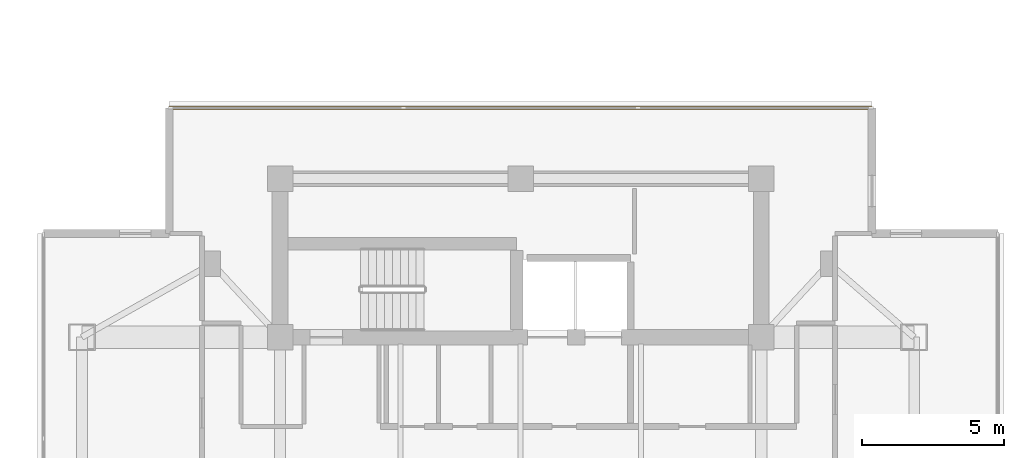
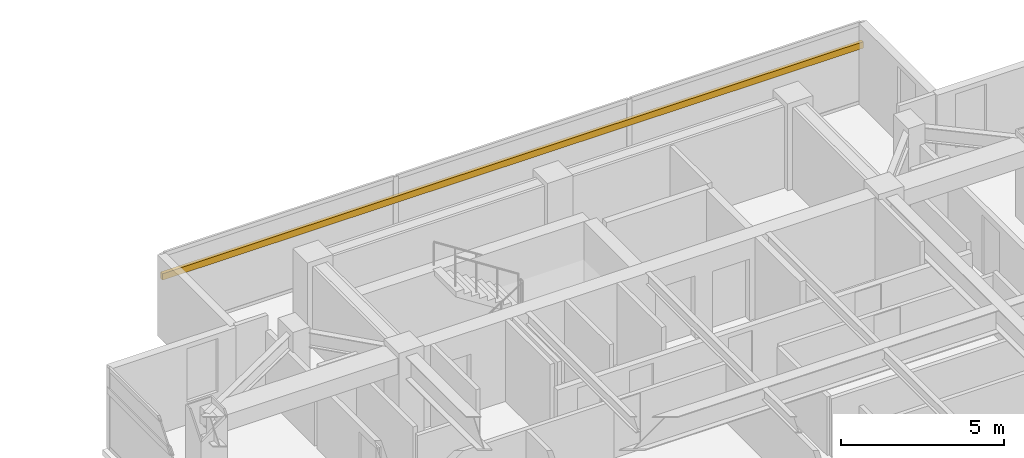
# One storey, part 24 of 24: 1 shading device.
"""IFC4 building model written with IfcOpenShell, lengths in metres."""

import ifcopenshell
import ifcopenshell.guid

model = None  # the IFC model being written
_history = None  # IfcOwnerHistory: only IFC2X3 demands one
_inside = {}  # id of a spatial element -> (the spatial element, [elements in it])
_under = {}  # id of a project, library or spatial element -> (it, [spatial elements below it])
_declared = {}  # id of a project -> (the project, [libraries it declares])
_typed = {}  # id of a type object -> (the type object, [elements of that type])
_made_of = {}  # id of a material, layer set ... -> (it, [elements and type objects made of it])


def new_model(schema):
    """Start an empty IFC model of exactly this schema.

    Asked for "IFC4X3", IfcOpenShell would pick the latest addendum, in which some entities
    have other attributes; the version numbers below select the first issue.
    IFC2X3 requires an IfcOwnerHistory on every rooted entity: one is made here for all.
    """
    global model, _history
    if schema == "IFC4X3":
        model = ifcopenshell.file(schema_version=(4, 3, 0, 0))
    else:
        model = ifcopenshell.file(schema=schema)
    _inside.clear()
    _under.clear()
    _declared.clear()
    _typed.clear()
    _made_of.clear()
    _history = None
    if model.schema == "IFC2X3":
        org = make("IfcOrganization", Name="unknown")
        user = make(
            "IfcPersonAndOrganization",
            ThePerson=make("IfcPerson", FamilyName="unknown"),
            TheOrganization=org,
        )
        app = make(
            "IfcApplication",
            ApplicationDeveloper=org,
            Version="unknown",
            ApplicationFullName="unknown",
            ApplicationIdentifier="unknown",
        )
        _history = make(
            "IfcOwnerHistory",
            OwningUser=user,
            OwningApplication=app,
            ChangeAction="ADDED",
            CreationDate=0,
        )
    return model


def make(cls, **values):
    """One entity of the class cls with the attributes given. An attribute that is None is left unset."""
    return model.create_entity(
        cls, **{name: value for name, value in values.items() if value is not None}
    )


def rooted(cls, **values):
    """An entity with a GlobalId (a new one), such as an element, a storey or a relation."""
    return make(cls, GlobalId=ifcopenshell.guid.new(), OwnerHistory=_history, **values)


def si_unit(unit_type, name, prefix=None):
    """IfcSIUnit, for example si_unit("LENGTHUNIT", "METRE", prefix="MILLI")."""
    return make("IfcSIUnit", UnitType=unit_type, Prefix=prefix, Name=name)


def assignment(units):
    """IfcUnitAssignment: the units of a project."""
    return None if units is None else make("IfcUnitAssignment", Units=units)


def point(xyz):
    """IfcCartesianPoint."""
    return None if xyz is None else make("IfcCartesianPoint", Coordinates=xyz)


def direction(xyz):
    """IfcDirection."""
    return None if xyz is None else make("IfcDirection", DirectionRatios=xyz)


def frame(location, z_axis=None, x_axis=None):
    """IfcAxis2Placement3D, a coordinate frame: its origin and axes. An axis left out is left unset."""
    return make(
        "IfcAxis2Placement3D",
        Location=point(location),
        Axis=direction(z_axis),
        RefDirection=direction(x_axis),
    )


def frame_2d(location, x_axis=None):
    """IfcAxis2Placement2D, a coordinate frame in the plane: its origin and x axis."""
    return make(
        "IfcAxis2Placement2D", Location=point(location), RefDirection=direction(x_axis)
    )


def origin():
    """The frame at (0, 0, 0) with its axes left unset."""
    return frame((0.0, 0.0, 0.0))


def origin_2d():
    """The frame at (0, 0) in the plane with its x axis left unset."""
    return frame_2d((0.0, 0.0))


def place(relative_to, where):
    """IfcLocalPlacement: puts the frame where relative to a parent placement (None: the world)."""
    return make(
        "IfcLocalPlacement", PlacementRelTo=relative_to, RelativePlacement=where
    )


def context(
    kind, dimensions, precision=None, world=None, true_north=None, identifier=None
):
    """IfcGeometricRepresentationContext, for example the 3D "Model" context."""
    return make(
        "IfcGeometricRepresentationContext",
        ContextIdentifier=identifier,
        ContextType=kind,
        CoordinateSpaceDimension=dimensions,
        Precision=precision,
        WorldCoordinateSystem=world,
        TrueNorth=true_north,
    )


def subcontext(parent, identifier, kind, view, scale=None):
    """IfcGeometricRepresentationSubContext, for example "Body" below "Model"."""
    return make(
        "IfcGeometricRepresentationSubContext",
        ContextIdentifier=identifier,
        ContextType=kind,
        ParentContext=parent,
        TargetScale=scale,
        TargetView=view,
    )


def project(units=None, contexts=None):
    """IfcProject with its units and contexts."""
    return rooted(
        "IfcProject",
        Name="project",
        RepresentationContexts=contexts,
        UnitsInContext=assignment(units),
    )


def spatial(cls, under=None, at=None, **own):
    """A site, building, storey or space (cls), placed at a placement, below another one or the project."""
    s = rooted(cls, ObjectPlacement=at, **own)
    if under is not None:
        _under.setdefault(under.id(), (under, []))[1].append(s)
    return s


def profile(cls, at=None, kind="AREA", **sizes):
    """A parametric profile (cls). Its sizes go by their IFC names, for example OverallWidth=200.0."""
    return make(cls, ProfileType=kind, Position=at, **sizes)


def rectangle(**sizes):
    """IfcRectangleProfileDef."""
    return profile("IfcRectangleProfileDef", **sizes)


def extrude(swept, where, along, depth):
    """IfcExtrudedAreaSolid: the profile swept, set in the frame where, extruded along a direction by depth."""
    return make(
        "IfcExtrudedAreaSolid",
        SweptArea=swept,
        Position=where,
        ExtrudedDirection=direction(along),
        Depth=depth,
    )


def shape(context_of_items, identifier, shape_type, items):
    """IfcShapeRepresentation: the items that make up one representation, for example the "Body"."""
    return make(
        "IfcShapeRepresentation",
        ContextOfItems=context_of_items,
        RepresentationIdentifier=identifier,
        RepresentationType=shape_type,
        Items=items,
    )


def material(Name=None, Category=None):
    """IfcMaterial."""
    return make("IfcMaterial", Name=Name, Category=Category)


def material_profile(
    of_material, cross_section, Name=None, Category=None, Priority=None
):
    """IfcMaterialProfile: a cross section and its material."""
    return make(
        "IfcMaterialProfile",
        Name=Name,
        Material=of_material,
        Profile=cross_section,
        Priority=Priority,
        Category=Category,
    )


def profile_set(profiles, Name=None, composite=None):
    """IfcMaterialProfileSet."""
    return make(
        "IfcMaterialProfileSet",
        Name=Name,
        MaterialProfiles=profiles,
        CompositeProfile=composite,
    )


def made_of(thing, what):
    """Note that an element or type object is made of a material, layer set ...; save() writes the relation."""
    if what is not None:
        _made_of.setdefault(what.id(), (what, []))[1].append(thing)
    return thing


def type_object(cls, material=None, **own):
    """A type object (cls), such as IfcWallType, which elements share."""
    return made_of(rooted(cls, **own), material)


def element(
    cls,
    number,
    at=None,
    inside=None,
    cuts=None,
    type_object=None,
    material=None,
    context=None,
    identifier="Body",
    shape_type=None,
    held_by="IfcProductDefinitionShape",
    body=None,
    shapes=None,
    **own,
):
    """One element of the class cls, such as IfcWall. Its Tag is "e" and its number.

    at: its placement. inside: the storey or other place that contains it. cuts: it is an
    opening in that element (IfcRelVoidsElement). A single representation is given by context,
    identifier, shape_type and body (its items); several are given by shapes. held_by: the class
    of the entity that holds the representations. save() writes the other relations.
    """
    e = rooted(cls, Tag="e%d" % number, ObjectPlacement=at, **own)
    if body is not None:
        shapes = [shape(context, identifier, shape_type, body)]
    if shapes is not None:
        e.Representation = make(held_by, Representations=shapes)
    if inside is not None:
        _inside.setdefault(inside.id(), (inside, []))[1].append(e)
    if cuts is not None:
        rooted(
            "IfcRelVoidsElement", RelatingBuildingElement=cuts, RelatedOpeningElement=e
        )
    if type_object is not None:
        _typed.setdefault(type_object.id(), (type_object, []))[1].append(e)
    return made_of(e, material)


def aggregate(whole, parts):
    """IfcRelAggregates: a whole, such as a stair, and the parts it consists of."""
    return rooted("IfcRelAggregates", RelatingObject=whole, RelatedObjects=parts)


def save(model, path):
    """Write the relations noted so far, then the file.

    IfcRelAggregates (storeys below a building ...), IfcRelContainedInSpatialStructure (elements
    in a storey), IfcRelDefinesByType, IfcRelAssociatesMaterial and IfcRelDeclares: one each for
    every whole, place, type object, material and project.
    """
    for whole, parts in _under.values():
        aggregate(whole, parts)
    for where, things in _inside.values():
        rooted(
            "IfcRelContainedInSpatialStructure",
            RelatedElements=things,
            RelatingStructure=where,
        )
    for kind, things in _typed.values():
        rooted("IfcRelDefinesByType", RelatedObjects=things, RelatingType=kind)
    for what, things in _made_of.values():
        rooted("IfcRelAssociatesMaterial", RelatedObjects=things, RelatingMaterial=what)
    for by, libraries in _declared.values():
        rooted("IfcRelDeclares", RelatingContext=by, RelatedDefinitions=libraries)
    model.write(path)


model = new_model("IFC4")

# Units and contexts
model_context = context("Model", 3, precision=1e-05, world=origin(), true_north=direction((0.0, 1.0)))
body_context = subcontext(model_context, "Body", "Model", "MODEL_VIEW")
ifc_project = project(units=[si_unit("LENGTHUNIT", "METRE"), si_unit("AREAUNIT", "SQUARE_METRE"), si_unit("VOLUMEUNIT", "CUBIC_METRE"), si_unit("PLANEANGLEUNIT", "RADIAN"), si_unit("MASSUNIT", "GRAM", prefix="KILO")], contexts=[model_context])

# Site, building, storey
site_placement = place(None, origin())
site = spatial("IfcSite", under=ifc_project, at=site_placement, CompositionType="ELEMENT")
building_placement = place(site_placement, origin())
building = spatial("IfcBuilding", under=site, at=building_placement, Name="Mirazonda Arch Towers", CompositionType="ELEMENT")
storey_placement = place(building_placement, frame((0.0, 0.0, 190.14990234375)))
storey = spatial("IfcBuildingStorey", under=building, at=storey_placement, Name="L54", CompositionType="ELEMENT", Elevation=190.14990234375)

# Shading device
ifc_material = material(Name="Kiln-Fired Architectural Terracotta", Category="masonry")
ifc_material_profile = material_profile(ifc_material, rectangle(XDim=0.1201171875, YDim=0.239990234375, at=origin_2d()), Name="TERRA-BAG-120x240")
ifc_profile_set = profile_set([ifc_material_profile], Name="Kiln-Fired Architectural Terracotta")
shading_device_type = type_object("IfcShadingDeviceType", Name="BAGUETTE-1", PredefinedType="USERDEFINED", material=ifc_profile_set)
shading_device_placement = place(storey_placement, frame((64.086181640625, 43.30517578125, 2.181640625), z_axis=(1.0, 0.0, 0.0), x_axis=(0.0, 1.0, 0.0)))
element("IfcShadingDevice", 1, at=shading_device_placement, inside=storey, type_object=shading_device_type, Name="L54 Glazed Terracotta Sun-Screen Baguette CW-L54-T2-N", ObjectType="BAGUETTE", PredefinedType="USERDEFINED", context=body_context, shape_type="SweptSolid", body=[
    extrude(rectangle(XDim=0.1201171875, YDim=0.239990234375, at=origin_2d()), origin(), (0.0, 0.0, 1.0), 24.82763671875),
])

save(model, "model.ifc")
